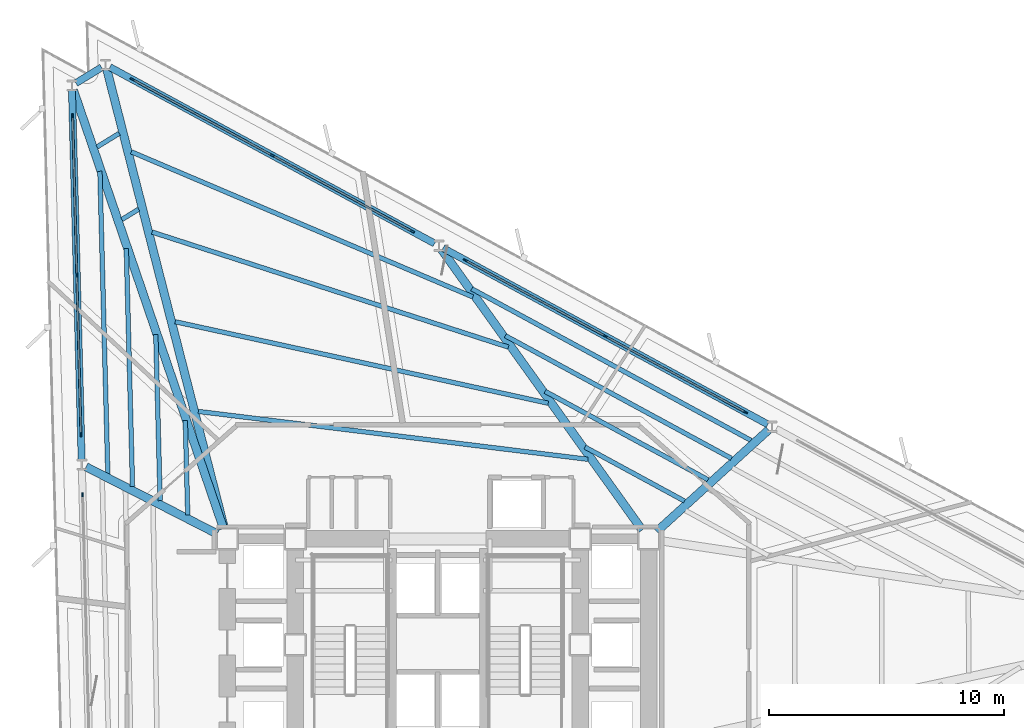
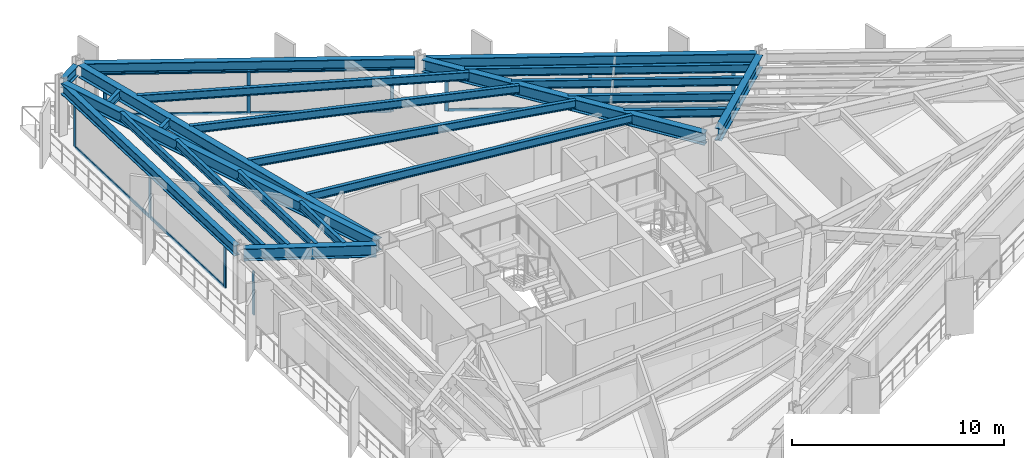
# One storey, part 5 of 14: 23 beams, 22 members, 4 elements without a shape of their own.
"""IFC4 building model written with IfcOpenShell, lengths in metres."""

from ifc_helpers import new_model, si_unit, direction, frame, origin, origin_2d, place, context, subcontext, project, spatial, rectangle, i_section, extrude, material, layer, layer_set, material_profile, profile_set, type_object, element, aggregate, save


model = new_model("IFC4")

# Units and contexts
model_context = context("Model", 3, precision=1e-05, world=origin(), true_north=direction((0.0, 1.0)))
body_context = subcontext(model_context, "Body", "Model", "MODEL_VIEW")
ifc_project = project(units=[si_unit("LENGTHUNIT", "METRE"), si_unit("AREAUNIT", "SQUARE_METRE"), si_unit("VOLUMEUNIT", "CUBIC_METRE"), si_unit("PLANEANGLEUNIT", "RADIAN"), si_unit("MASSUNIT", "GRAM", prefix="KILO")], contexts=[model_context])

# Site, building, storey
site_placement = place(None, origin())
site = spatial("IfcSite", under=ifc_project, at=site_placement, CompositionType="ELEMENT")
building_placement = place(site_placement, origin())
building = spatial("IfcBuilding", under=site, at=building_placement, Name="Rocaltana Carrier Exchange", CompositionType="ELEMENT")
storey_placement = place(building_placement, frame((0.0, 0.0, 32.320068359375)))
storey = spatial("IfcBuildingStorey", under=building, at=storey_placement, Name="L10", CompositionType="ELEMENT", Elevation=32.320068359375)

# Curtain wall, members
ifc_material_1 = material(Name="Aluminium 6063-T6", Category="aluminium")
ifc_layer = layer(ifc_material_1, 0.179931640625)
ifc_layer_set = layer_set([ifc_layer], Name="Aluminium 6063-T6")
curtain_wall_type = type_object("IfcCurtainWallType", Name="Sandstone Spandrel Unitised Curtain Wall CW-01", PredefinedType="NOTDEFINED", material=ifc_layer_set)
curtain_wall_1_placement = place(storey_placement, origin())
curtain_wall_1 = element("IfcCurtainWall", 1, at=curtain_wall_1_placement, inside=storey, type_object=curtain_wall_type, Name="L10 CW-01 Run CW-L10-F1S2", PredefinedType="NOTDEFINED")
ifc_material_2 = material(Name="Aluminium 6063-T6", Category="aluminium")
ifc_material_profile_1 = material_profile(ifc_material_2, rectangle(XDim=0.06494140625, YDim=0.179931640625, at=origin_2d()), Name="AL-65X180")
ifc_profile_set_1 = profile_set([ifc_material_profile_1], Name="Aluminium 6063-T6")
member_type_1 = type_object("IfcMemberType", Name="CW-01 Mullion AL-65X180", PredefinedType="MULLION", material=ifc_profile_set_1)
member_1_placement = place(storey_placement, frame((13.064697265625, 9.87890625, 0.0), z_axis=(0.0, 0.0, 1.0), x_axis=(-0.477164068636, -0.878814230428, 0.0)))
member_1 = element("IfcMember", 2, at=member_1_placement, type_object=member_type_1, Name="CW-01 mullion 1", PredefinedType="MULLION", context=body_context, shape_type="SweptSolid", body=[
    extrude(rectangle(XDim=0.06494140625, YDim=0.179931640625, at=origin_2d()), origin(), (0.0, 0.0, 1.0), 2.47802734375),
])
member_2_placement = place(storey_placement, frame((7.1171875, 13.108154296875, 0.0), z_axis=(0.0, 0.0, 1.0), x_axis=(-0.477164068636, -0.878814230428, 0.0)))
member_2 = element("IfcMember", 3, at=member_2_placement, type_object=member_type_1, Name="CW-01 mullion 2", PredefinedType="MULLION", context=body_context, shape_type="SweptSolid", body=[
    extrude(rectangle(XDim=0.06494140625, YDim=0.179931640625, at=origin_2d()), origin(), (0.0, 0.0, 1.0), 2.47802734375),
])
member_3_placement = place(storey_placement, frame((1.169677734375, 16.33740234375, 0.0), z_axis=(0.0, 0.0, 1.0), x_axis=(-0.477164068636, -0.878814230428, 0.0)))
member_3 = element("IfcMember", 4, at=member_3_placement, type_object=member_type_1, Name="CW-01 mullion 3", PredefinedType="MULLION", context=body_context, shape_type="SweptSolid", body=[
    extrude(rectangle(XDim=0.06494140625, YDim=0.179931640625, at=origin_2d()), origin(), (0.0, 0.0, 1.0), 2.47802734375),
])

curtain_wall_2_placement = place(storey_placement, origin())
curtain_wall_2 = element("IfcCurtainWall", 5, at=curtain_wall_2_placement, inside=storey, type_object=curtain_wall_type, Name="L10 CW-01 Run CW-L10-F1S3", PredefinedType="NOTDEFINED")
member_4_placement = place(storey_placement, frame((-1.08447265625, 17.5615234375, 0.0), z_axis=(0.0, 0.0, 1.0), x_axis=(-0.477155794406, -0.878818722982, 0.0)))
member_4 = element("IfcMember", 6, at=member_4_placement, type_object=member_type_1, Name="CW-01 mullion 1", PredefinedType="MULLION", context=body_context, shape_type="SweptSolid", body=[
    extrude(rectangle(XDim=0.06494140625, YDim=0.179931640625, at=origin_2d()), origin(), (0.0, 0.0, 1.0), 2.47802734375),
])
member_5_placement = place(storey_placement, frame((-7.03173828125, 20.79052734375, 0.0), z_axis=(0.0, 0.0, 1.0), x_axis=(-0.477155794406, -0.878818722982, 0.0)))
member_5 = element("IfcMember", 7, at=member_5_placement, type_object=member_type_1, Name="CW-01 mullion 2", PredefinedType="MULLION", context=body_context, shape_type="SweptSolid", body=[
    extrude(rectangle(XDim=0.06494140625, YDim=0.179931640625, at=origin_2d()), origin(), (0.0, 0.0, 1.0), 2.47802734375),
])
member_6_placement = place(storey_placement, frame((-12.979248046875, 24.019775390625, 0.0), z_axis=(0.0, 0.0, 1.0), x_axis=(-0.477155794406, -0.878818722982, 0.0)))
member_6 = element("IfcMember", 8, at=member_6_placement, type_object=member_type_1, Name="CW-01 mullion 3", PredefinedType="MULLION", context=body_context, shape_type="SweptSolid", body=[
    extrude(rectangle(XDim=0.06494140625, YDim=0.179931640625, at=origin_2d()), origin(), (0.0, 0.0, 1.0), 2.47802734375),
])

curtain_wall_3_placement = place(storey_placement, origin())
curtain_wall_3 = element("IfcCurtainWall", 9, at=curtain_wall_3_placement, inside=storey, type_object=curtain_wall_type, Name="L10 CW-01 Run CW-L10-F2S1", PredefinedType="NOTDEFINED")
member_7_placement = place(storey_placement, frame((-15.50927734375, 22.46923828125, 0.0), z_axis=(0.0, 0.0, 1.0), x_axis=(0.999657143044, 0.026183895077, 0.0)))
member_7 = element("IfcMember", 10, at=member_7_placement, type_object=member_type_1, Name="CW-01 mullion 1", PredefinedType="MULLION", context=body_context, shape_type="SweptSolid", body=[
    extrude(rectangle(XDim=0.06494140625, YDim=0.179931640625, at=origin_2d()), origin(), (0.0, 0.0, 1.0), 2.47802734375),
])
member_8_placement = place(storey_placement, frame((-15.33203125, 15.7041015625, 0.0), z_axis=(0.0, 0.0, 1.0), x_axis=(0.999657143044, 0.026183895077, 0.0)))
member_8 = element("IfcMember", 11, at=member_8_placement, type_object=member_type_1, Name="CW-01 mullion 2", PredefinedType="MULLION", context=body_context, shape_type="SweptSolid", body=[
    extrude(rectangle(XDim=0.06494140625, YDim=0.179931640625, at=origin_2d()), origin(), (0.0, 0.0, 1.0), 2.47802734375),
])
member_9_placement = place(storey_placement, frame((-15.155029296875, 8.93896484375, 0.0), z_axis=(0.0, 0.0, 1.0), x_axis=(0.999657143044, 0.026183895077, 0.0)))
member_9 = element("IfcMember", 12, at=member_9_placement, type_object=member_type_1, Name="CW-01 mullion 3", PredefinedType="MULLION", context=body_context, shape_type="SweptSolid", body=[
    extrude(rectangle(XDim=0.06494140625, YDim=0.179931640625, at=origin_2d()), origin(), (0.0, 0.0, 1.0), 2.47802734375),
])

# Curtain wall, member
curtain_wall_4_placement = place(storey_placement, origin())
curtain_wall_4 = element("IfcCurtainWall", 13, at=curtain_wall_4_placement, inside=storey, type_object=curtain_wall_type, Name="L10 CW-01 Run CW-L10-F2S2", PredefinedType="NOTDEFINED")
member_10_placement = place(storey_placement, frame((-15.087890625, 6.374755859375, 0.0), z_axis=(0.0, 0.0, 1.0), x_axis=(0.99965733548, 0.026176547142, 0.0)))
member_10 = element("IfcMember", 14, at=member_10_placement, type_object=member_type_1, Name="CW-01 mullion 1", PredefinedType="MULLION", context=body_context, shape_type="SweptSolid", body=[
    extrude(rectangle(XDim=0.06494140625, YDim=0.179931640625, at=origin_2d()), origin(), (0.0, 0.0, 1.0), 2.47802734375),
])
aggregate(curtain_wall_4, [member_10])

# Member
ifc_material_3 = material(Name="Aluminium 6063-T6", Category="aluminium")
ifc_material_profile_2 = material_profile(ifc_material_3, rectangle(XDim=0.06494140625, YDim=0.179931640625, at=origin_2d()), Name="AL-65X180")
ifc_profile_set_2 = profile_set([ifc_material_profile_2], Name="Aluminium 6063-T6")
member_type_2 = type_object("IfcMemberType", Name="CW-01 Transom AL-65X180", PredefinedType="USERDEFINED", material=ifc_profile_set_2)
member_11_placement = place(storey_placement, frame((13.0361328125, 9.89453125, 0.032470703125), z_axis=(-0.878815465576, 0.477161793802, 0.0), x_axis=(-0.477161793802, -0.878815465576, 0.0)))
member_11 = element("IfcMember", 15, at=member_11_placement, type_object=member_type_2, Name="CW-01 transom 1.1", ObjectType="TRANSOM", PredefinedType="USERDEFINED", context=body_context, shape_type="SweptSolid", body=[
    extrude(rectangle(XDim=0.06494140625, YDim=0.179931640625, at=origin_2d()), origin(), (0.0, 0.0, 1.0), 6.70263671875),
])

member_12_placement = place(storey_placement, frame((13.0361328125, 9.89453125, 2.4453125), z_axis=(-0.878815465576, 0.477161793802, 0.0), x_axis=(-0.477161793802, -0.878815465576, 0.0)))
member_12 = element("IfcMember", 16, at=member_12_placement, type_object=member_type_2, Name="CW-01 transom 1.2", ObjectType="TRANSOM", PredefinedType="USERDEFINED", context=body_context, shape_type="SweptSolid", body=[
    extrude(rectangle(XDim=0.06494140625, YDim=0.179931640625, at=origin_2d()), origin(), (0.0, 0.0, 1.0), 6.70263671875),
])

member_13_placement = place(storey_placement, frame((7.088623046875, 13.123779296875, 0.032470703125), z_axis=(-0.878815465576, 0.477161793802, 0.0), x_axis=(-0.477161793802, -0.878815465576, 0.0)))
member_13 = element("IfcMember", 17, at=member_13_placement, type_object=member_type_2, Name="CW-01 transom 2.1", ObjectType="TRANSOM", PredefinedType="USERDEFINED", context=body_context, shape_type="SweptSolid", body=[
    extrude(rectangle(XDim=0.06494140625, YDim=0.179931640625, at=origin_2d()), origin(), (0.0, 0.0, 1.0), 6.70263671875),
])

member_14_placement = place(storey_placement, frame((7.088623046875, 13.123779296875, 2.4453125), z_axis=(-0.878815465576, 0.477161793802, 0.0), x_axis=(-0.477161793802, -0.878815465576, 0.0)))
member_14 = element("IfcMember", 18, at=member_14_placement, type_object=member_type_2, Name="CW-01 transom 2.2", ObjectType="TRANSOM", PredefinedType="USERDEFINED", context=body_context, shape_type="SweptSolid", body=[
    extrude(rectangle(XDim=0.06494140625, YDim=0.179931640625, at=origin_2d()), origin(), (0.0, 0.0, 1.0), 6.70263671875),
])

aggregate(curtain_wall_1, [member_1, member_2, member_3, member_11, member_12, member_13, member_14])

member_15_placement = place(storey_placement, frame((-1.113037109375, 17.576904296875, 0.032470703125), z_axis=(-0.87880717191, 0.477177068392, 0.0), x_axis=(-0.477177068392, -0.87880717191, 0.0)))
member_15 = element("IfcMember", 19, at=member_15_placement, type_object=member_type_2, Name="CW-01 transom 1.1", ObjectType="TRANSOM", PredefinedType="USERDEFINED", context=body_context, shape_type="SweptSolid", body=[
    extrude(rectangle(XDim=0.06494140625, YDim=0.179931640625, at=origin_2d()), origin(), (0.0, 0.0, 1.0), 6.702392578125),
])

member_16_placement = place(storey_placement, frame((-1.113037109375, 17.576904296875, 2.4453125), z_axis=(-0.87880717191, 0.477177068392, 0.0), x_axis=(-0.477177068392, -0.87880717191, 0.0)))
member_16 = element("IfcMember", 20, at=member_16_placement, type_object=member_type_2, Name="CW-01 transom 1.2", ObjectType="TRANSOM", PredefinedType="USERDEFINED", context=body_context, shape_type="SweptSolid", body=[
    extrude(rectangle(XDim=0.06494140625, YDim=0.179931640625, at=origin_2d()), origin(), (0.0, 0.0, 1.0), 6.702392578125),
])

member_17_placement = place(storey_placement, frame((-7.060302734375, 20.80615234375, 0.032470703125), z_axis=(-0.878830739565, 0.477133661772, 0.0), x_axis=(-0.477133661772, -0.878830739565, 0.0)))
member_17 = element("IfcMember", 21, at=member_17_placement, type_object=member_type_2, Name="CW-01 transom 2.1", ObjectType="TRANSOM", PredefinedType="USERDEFINED", context=body_context, shape_type="SweptSolid", body=[
    extrude(rectangle(XDim=0.06494140625, YDim=0.179931640625, at=origin_2d()), origin(), (0.0, 0.0, 1.0), 6.70263671875),
])

member_18_placement = place(storey_placement, frame((-7.060302734375, 20.80615234375, 2.4453125), z_axis=(-0.878830739565, 0.477133661772, 0.0), x_axis=(-0.477133661772, -0.878830739565, 0.0)))
member_18 = element("IfcMember", 22, at=member_18_placement, type_object=member_type_2, Name="CW-01 transom 2.2", ObjectType="TRANSOM", PredefinedType="USERDEFINED", context=body_context, shape_type="SweptSolid", body=[
    extrude(rectangle(XDim=0.06494140625, YDim=0.179931640625, at=origin_2d()), origin(), (0.0, 0.0, 1.0), 6.70263671875),
])

aggregate(curtain_wall_2, [member_4, member_5, member_6, member_15, member_16, member_17, member_18])

member_19_placement = place(storey_placement, frame((-15.508544921875, 22.436767578125, 0.032470703125), z_axis=(0.026189818331, -0.999656987879, 0.0), x_axis=(0.999656987879, 0.026189818331, 0.0)))
member_19 = element("IfcMember", 23, at=member_19_placement, type_object=member_type_2, Name="CW-01 transom 1.1", ObjectType="TRANSOM", PredefinedType="USERDEFINED", context=body_context, shape_type="SweptSolid", body=[
    extrude(rectangle(XDim=0.06494140625, YDim=0.179931640625, at=origin_2d()), origin(), (0.0, 0.0, 1.0), 6.702392578125),
])

member_20_placement = place(storey_placement, frame((-15.508544921875, 22.436767578125, 2.4453125), z_axis=(0.026189818331, -0.999656987879, 0.0), x_axis=(0.999656987879, 0.026189818331, 0.0)))
member_20 = element("IfcMember", 24, at=member_20_placement, type_object=member_type_2, Name="CW-01 transom 1.2", ObjectType="TRANSOM", PredefinedType="USERDEFINED", context=body_context, shape_type="SweptSolid", body=[
    extrude(rectangle(XDim=0.06494140625, YDim=0.179931640625, at=origin_2d()), origin(), (0.0, 0.0, 1.0), 6.702392578125),
])

member_21_placement = place(storey_placement, frame((-15.331298828125, 15.671630859375, 0.032470703125), z_axis=(0.026189818331, -0.999656987879, 0.0), x_axis=(0.999656987879, 0.026189818331, 0.0)))
member_21 = element("IfcMember", 25, at=member_21_placement, type_object=member_type_2, Name="CW-01 transom 2.1", ObjectType="TRANSOM", PredefinedType="USERDEFINED", context=body_context, shape_type="SweptSolid", body=[
    extrude(rectangle(XDim=0.06494140625, YDim=0.179931640625, at=origin_2d()), origin(), (0.0, 0.0, 1.0), 6.702392578125),
])

member_22_placement = place(storey_placement, frame((-15.331298828125, 15.671630859375, 2.4453125), z_axis=(0.026189818331, -0.999656987879, 0.0), x_axis=(0.999656987879, 0.026189818331, 0.0)))
member_22 = element("IfcMember", 26, at=member_22_placement, type_object=member_type_2, Name="CW-01 transom 2.2", ObjectType="TRANSOM", PredefinedType="USERDEFINED", context=body_context, shape_type="SweptSolid", body=[
    extrude(rectangle(XDim=0.06494140625, YDim=0.179931640625, at=origin_2d()), origin(), (0.0, 0.0, 1.0), 6.702392578125),
])

aggregate(curtain_wall_3, [member_7, member_8, member_9, member_19, member_20, member_21, member_22])

# Beams
ifc_material_4 = material(Name="Steel S355", Category="steel")
ifc_material_profile_3 = material_profile(ifc_material_4, i_section(OverallWidth=0.193115234375, OverallDepth=0.466064453125, WebThickness=0.011474609375, FlangeThickness=0.01904296875, FilletRadius=0.013916015625, at=origin_2d()), Name="W18X65")
ifc_profile_set_3 = profile_set([ifc_material_profile_3], Name="Steel S355")
beam_type_1 = type_object("IfcBeamType", Name="Floor Joist W18X65", PredefinedType="JOIST", material=ifc_profile_set_3)
beam_1_placement = place(storey_placement, frame((10.4765625, 6.107421875, 2.864990234375), z_axis=(-0.87880781256, 0.477175888518, 0.0), x_axis=(-0.477175888518, -0.87880781256, 0.0)))
element("IfcBeam", 27, at=beam_1_placement, inside=storey, type_object=beam_type_1, Name="FJ-L10-02-1", PredefinedType="JOIST", context=body_context, shape_type="SweptSolid", body=[
    extrude(i_section(OverallWidth=0.193115234375, OverallDepth=0.466064453125, WebThickness=0.011474609375, FlangeThickness=0.01904296875, FilletRadius=0.013916015625, at=origin_2d()), origin(), (0.0, 0.0, 1.0), 4.808837890625),
])
beam_2_placement = place(storey_placement, frame((11.472412109375, 7.01318359375, 2.864990234375), z_axis=(-0.878817742056, 0.477157601059, 0.0), x_axis=(-0.477157601059, -0.878817742056, 0.0)))
element("IfcBeam", 28, at=beam_2_placement, inside=storey, type_object=beam_type_1, Name="FJ-L10-02-2", PredefinedType="JOIST", context=body_context, shape_type="SweptSolid", body=[
    extrude(i_section(OverallWidth=0.193115234375, OverallDepth=0.466064453125, WebThickness=0.011474609375, FlangeThickness=0.01904296875, FilletRadius=0.013916015625, at=origin_2d()), origin(), (0.0, 0.0, 1.0), 7.86767578125),
])
beam_3_placement = place(storey_placement, frame((12.468505859375, 7.918701171875, 2.864990234375), z_axis=(-0.878813547662, 0.477165326115, 0.0), x_axis=(-0.477165326115, -0.878813547662, 0.0)))
element("IfcBeam", 29, at=beam_3_placement, inside=storey, type_object=beam_type_1, Name="FJ-L10-02-3", PredefinedType="JOIST", context=body_context, shape_type="SweptSolid", body=[
    extrude(i_section(OverallWidth=0.193115234375, OverallDepth=0.466064453125, WebThickness=0.011474609375, FlangeThickness=0.01904296875, FilletRadius=0.013916015625, at=origin_2d()), origin(), (0.0, 0.0, 1.0), 10.92724609375),
])
beam_4_placement = place(storey_placement, frame((13.30712890625, 8.681396484375, 2.864990234375), z_axis=(-0.878808808583, 0.477174054152, 0.0), x_axis=(-0.477174054152, -0.878808808583, 0.0)))
element("IfcBeam", 30, at=beam_4_placement, inside=storey, type_object=beam_type_1, Name="FJ-L10-02-4", PredefinedType="JOIST", context=body_context, shape_type="SweptSolid", body=[
    extrude(i_section(OverallWidth=0.193115234375, OverallDepth=0.466064453125, WebThickness=0.011474609375, FlangeThickness=0.01904296875, FilletRadius=0.013916015625, at=origin_2d()), origin(), (0.0, 0.0, 1.0), 13.503173828125),
])
beam_5_placement = place(storey_placement, frame((6.374755859375, 7.882080078125, 2.864990234375), z_axis=(-0.992538792143, 0.121929266752, 0.0), x_axis=(-0.121929266752, -0.992538792143, 0.0)))
element("IfcBeam", 31, at=beam_5_placement, inside=storey, type_object=beam_type_1, Name="FJ-L10-03-1", PredefinedType="JOIST", context=body_context, shape_type="SweptSolid", body=[
    extrude(i_section(OverallWidth=0.193115234375, OverallDepth=0.466064453125, WebThickness=0.011474609375, FlangeThickness=0.01904296875, FilletRadius=0.013916015625, at=origin_2d()), origin(), (0.0, 0.0, 1.0), 16.671142578125),
])
beam_6_placement = place(storey_placement, frame((4.68505859375, 10.26318359375, 2.864990234375), z_axis=(-0.976950483749, 0.213466044848, 0.0), x_axis=(-0.213466044848, -0.976950483749, 0.0)))
element("IfcBeam", 32, at=beam_6_placement, inside=storey, type_object=beam_type_1, Name="FJ-L10-03-2", PredefinedType="JOIST", context=body_context, shape_type="SweptSolid", body=[
    extrude(i_section(OverallWidth=0.193115234375, OverallDepth=0.466064453125, WebThickness=0.011474609375, FlangeThickness=0.01904296875, FilletRadius=0.013916015625, at=origin_2d()), origin(), (0.0, 0.0, 1.0), 16.213134765625),
])
beam_7_placement = place(storey_placement, frame((2.9970703125, 12.644775390625, 2.864990234375), z_axis=(-0.951601211607, 0.307335539872, 0.0), x_axis=(-0.307335539872, -0.951601211607, 0.0)))
element("IfcBeam", 33, at=beam_7_placement, inside=storey, type_object=beam_type_1, Name="FJ-L10-03-3", PredefinedType="JOIST", context=body_context, shape_type="SweptSolid", body=[
    extrude(i_section(OverallWidth=0.193115234375, OverallDepth=0.466064453125, WebThickness=0.011474609375, FlangeThickness=0.01904296875, FilletRadius=0.013916015625, at=origin_2d()), origin(), (0.0, 0.0, 1.0), 15.905029296875),
])
beam_8_placement = place(storey_placement, frame((1.48828125, 14.775634765625, 2.864990234375), z_axis=(-0.920350290518, 0.391095055891, 0.0), x_axis=(-0.391095055891, -0.920350290518, 0.0)))
element("IfcBeam", 34, at=beam_8_placement, inside=storey, type_object=beam_type_1, Name="FJ-L10-03-4", PredefinedType="JOIST", context=body_context, shape_type="SweptSolid", body=[
    extrude(i_section(OverallWidth=0.193115234375, OverallDepth=0.466064453125, WebThickness=0.011474609375, FlangeThickness=0.01904296875, FilletRadius=0.013916015625, at=origin_2d()), origin(), (0.0, 0.0, 1.0), 15.76416015625),
])
beam_9_placement = place(storey_placement, frame((-12.70556640625, 18.502685546875, 2.864990234375), z_axis=(-0.852508958132, -0.522712613493, 0.0), x_axis=(0.522712613493, -0.852508958132, 0.0)))
element("IfcBeam", 35, at=beam_9_placement, inside=storey, type_object=beam_type_1, Name="FJ-L10-04-3", PredefinedType="JOIST", context=body_context, shape_type="SweptSolid", body=[
    extrude(i_section(OverallWidth=0.193115234375, OverallDepth=0.466064453125, WebThickness=0.011474609375, FlangeThickness=0.01904296875, FilletRadius=0.013916015625, at=origin_2d()), origin(), (0.0, 0.0, 1.0), 0.83642578125),
])
beam_10_placement = place(storey_placement, frame((-13.530517578125, 21.7236328125, 2.864990234375), z_axis=(-0.852664692341, -0.52245853657, 0.0), x_axis=(0.52245853657, -0.852664692341, 0.0)))
element("IfcBeam", 36, at=beam_10_placement, inside=storey, type_object=beam_type_1, Name="FJ-L10-04-4", PredefinedType="JOIST", context=body_context, shape_type="SweptSolid", body=[
    extrude(i_section(OverallWidth=0.193115234375, OverallDepth=0.466064453125, WebThickness=0.011474609375, FlangeThickness=0.01904296875, FilletRadius=0.013916015625, at=origin_2d()), origin(), (0.0, 0.0, 1.0), 1.106201171875),
])
beam_11_placement = place(storey_placement, frame((-10.7255859375, 9.5263671875, 2.864990234375), z_axis=(0.02615756085, -0.999657832466, 0.0), x_axis=(0.999657832466, 0.02615756085, 0.0)))
element("IfcBeam", 37, at=beam_11_placement, inside=storey, type_object=beam_type_1, Name="FJ-L10-05-1", PredefinedType="JOIST", context=body_context, shape_type="SweptSolid", body=[
    extrude(i_section(OverallWidth=0.193115234375, OverallDepth=0.466064453125, WebThickness=0.011474609375, FlangeThickness=0.01904296875, FilletRadius=0.013916015625, at=origin_2d()), origin(), (0.0, 0.0, 1.0), 4.004150390625),
])
beam_12_placement = place(storey_placement, frame((-11.978271484375, 13.18408203125, 2.864990234375), z_axis=(0.026201236861, -0.999656688662, 0.0), x_axis=(0.999656688662, 0.026201236861, 0.0)))
element("IfcBeam", 38, at=beam_12_placement, inside=storey, type_object=beam_type_1, Name="FJ-L10-05-2", PredefinedType="JOIST", context=body_context, shape_type="SweptSolid", body=[
    extrude(i_section(OverallWidth=0.193115234375, OverallDepth=0.466064453125, WebThickness=0.011474609375, FlangeThickness=0.01904296875, FilletRadius=0.013916015625, at=origin_2d()), origin(), (0.0, 0.0, 1.0), 7.06298828125),
])
beam_13_placement = place(storey_placement, frame((-13.23095703125, 16.841796875, 2.864990234375), z_axis=(0.026194410862, -0.99965686755, 0.0), x_axis=(0.99965686755, 0.026194410862, 0.0)))
element("IfcBeam", 39, at=beam_13_placement, inside=storey, type_object=beam_type_1, Name="FJ-L10-05-3", PredefinedType="JOIST", context=body_context, shape_type="SweptSolid", body=[
    extrude(i_section(OverallWidth=0.193115234375, OverallDepth=0.466064453125, WebThickness=0.011474609375, FlangeThickness=0.01904296875, FilletRadius=0.013916015625, at=origin_2d()), origin(), (0.0, 0.0, 1.0), 10.121826171875),
])
beam_14_placement = place(storey_placement, frame((-14.351806640625, 20.114501953125, 2.864990234375), z_axis=(0.026200832731, -0.999656699254, 0.0), x_axis=(0.999656699254, 0.026200832731, 0.0)))
element("IfcBeam", 40, at=beam_14_placement, inside=storey, type_object=beam_type_1, Name="FJ-L10-05-4", PredefinedType="JOIST", context=body_context, shape_type="SweptSolid", body=[
    extrude(i_section(OverallWidth=0.193115234375, OverallDepth=0.466064453125, WebThickness=0.011474609375, FlangeThickness=0.01904296875, FilletRadius=0.013916015625, at=origin_2d()), origin(), (0.0, 0.0, 1.0), 12.85888671875),
])
ifc_material_5 = material(Name="Steel S355", Category="steel")
ifc_material_profile_4 = material_profile(ifc_material_5, i_section(OverallWidth=0.35498046875, OverallDepth=0.695068359375, WebThickness=0.015380859375, FlangeThickness=0.02490234375, FilletRadius=0.01806640625, at=origin_2d()), Name="W27X146")
ifc_profile_set_4 = profile_set([ifc_material_profile_4], Name="Steel S355")
beam_type_2 = type_object("IfcBeamType", Name="Radial Girder W27X146", PredefinedType="BEAM", material=ifc_profile_set_4)
beam_15_placement = place(storey_placement, frame((9.29541015625, 4.814208984375, 2.75048828125), z_axis=(0.739807445463, 0.672818655834, 0.0), x_axis=(-0.672818655834, 0.739807445463, 0.0)))
element("IfcBeam", 41, at=beam_15_placement, inside=storey, type_object=beam_type_2, Name="RG-L10-02", PredefinedType="BEAM", context=body_context, shape_type="SweptSolid", body=[
    extrude(i_section(OverallWidth=0.35498046875, OverallDepth=0.695068359375, WebThickness=0.015380859375, FlangeThickness=0.02490234375, FilletRadius=0.01806640625, at=origin_2d()), origin(), (0.0, 0.0, 1.0), 6.414306640625),
])
beam_16_placement = place(storey_placement, frame((8.67822265625, 4.8798828125, 2.75048828125), z_axis=(-0.581884927031, 0.813271130493, 0.0), x_axis=(-0.813271130493, -0.581884927031, 0.0)))
element("IfcBeam", 42, at=beam_16_placement, inside=storey, type_object=beam_type_2, Name="RG-L10-03", PredefinedType="BEAM", context=body_context, shape_type="SweptSolid", body=[
    extrude(i_section(OverallWidth=0.35498046875, OverallDepth=0.695068359375, WebThickness=0.015380859375, FlangeThickness=0.02490234375, FilletRadius=0.01806640625, at=origin_2d()), origin(), (0.0, 0.0, 1.0), 14.63671875),
])
beam_17_placement = place(storey_placement, frame((-9.06591796875, 4.952392578125, 2.75048828125), z_axis=(-0.248115976649, 0.968730335094, 0.0), x_axis=(-0.968730335094, -0.248115976649, 0.0)))
element("IfcBeam", 43, at=beam_17_placement, inside=storey, type_object=beam_type_2, Name="RG-L10-04", PredefinedType="BEAM", context=body_context, shape_type="SweptSolid", body=[
    extrude(i_section(OverallWidth=0.35498046875, OverallDepth=0.695068359375, WebThickness=0.015380859375, FlangeThickness=0.02490234375, FilletRadius=0.01806640625, at=origin_2d()), origin(), (0.0, 0.0, 1.0), 20.110595703125),
])
beam_18_placement = place(storey_placement, frame((-9.101318359375, 4.94189453125, 2.75048828125), z_axis=(-0.323992518523, 0.946059642909, 0.0), x_axis=(-0.946059642909, -0.323992518523, 0.0)))
element("IfcBeam", 44, at=beam_18_placement, inside=storey, type_object=beam_type_2, Name="RG-L10-05", PredefinedType="BEAM", context=body_context, shape_type="SweptSolid", body=[
    extrude(i_section(OverallWidth=0.35498046875, OverallDepth=0.695068359375, WebThickness=0.015380859375, FlangeThickness=0.02490234375, FilletRadius=0.01806640625, at=origin_2d()), origin(), (0.0, 0.0, 1.0), 19.677978515625),
])
beam_19_placement = place(storey_placement, frame((-9.36572265625, 4.712646484375, 2.75048828125), z_axis=(-0.890279416512, 0.455414712691, 0.0), x_axis=(-0.455414712691, -0.890279416512, 0.0)))
element("IfcBeam", 45, at=beam_19_placement, inside=storey, type_object=beam_type_2, Name="RG-L10-06", PredefinedType="BEAM", context=body_context, shape_type="SweptSolid", body=[
    extrude(i_section(OverallWidth=0.35498046875, OverallDepth=0.695068359375, WebThickness=0.015380859375, FlangeThickness=0.02490234375, FilletRadius=0.01806640625, at=origin_2d()), origin(), (0.0, 0.0, 1.0), 6.260986328125),
])
ifc_material_6 = material(Name="Steel S355", Category="steel")
ifc_material_profile_5 = material_profile(ifc_material_6, i_section(OverallWidth=0.300048828125, OverallDepth=0.60009765625, WebThickness=0.015380859375, FlangeThickness=0.030029296875, FilletRadius=0.027099609375, at=origin_2d()), Name="HEB600")
ifc_profile_set_5 = profile_set([ifc_material_profile_5], Name="Steel S355")
beam_type_3 = type_object("IfcBeamType", Name="Spandrel Edge Beam HEB600", PredefinedType="SPANDREL", material=ifc_profile_set_5)
beam_20_placement = place(storey_placement, frame((14.012451171875, 9.364501953125, 2.7978515625), z_axis=(-0.878819693906, 0.477154006168, 0.0), x_axis=(-0.477154006168, -0.878819693906, 0.0)))
element("IfcBeam", 46, at=beam_20_placement, inside=storey, type_object=beam_type_3, Name="SP-L10-02", PredefinedType="SPANDREL", context=body_context, shape_type="SweptSolid", body=[
    extrude(i_section(OverallWidth=0.300048828125, OverallDepth=0.60009765625, WebThickness=0.015380859375, FlangeThickness=0.030029296875, FilletRadius=0.027099609375, at=origin_2d()), origin(), (0.0, 0.0, 1.0), 15.692138671875),
])
beam_21_placement = place(storey_placement, frame((-0.13671875, 17.046630859375, 2.7978515625), z_axis=(-0.878809627373, 0.47717254619, 0.0), x_axis=(-0.47717254619, -0.878809627373, 0.0)))
element("IfcBeam", 47, at=beam_21_placement, inside=storey, type_object=beam_type_3, Name="SP-L10-03", PredefinedType="SPANDREL", context=body_context, shape_type="SweptSolid", body=[
    extrude(i_section(OverallWidth=0.300048828125, OverallDepth=0.60009765625, WebThickness=0.015380859375, FlangeThickness=0.030029296875, FilletRadius=0.027099609375, at=origin_2d()), origin(), (0.0, 0.0, 1.0), 15.69189453125),
])
beam_22_placement = place(storey_placement, frame((-14.280029296875, 24.525146484375, 2.7978515625), z_axis=(-0.852647958585, -0.522485845474, 0.0), x_axis=(0.522485845474, -0.852647958585, 0.0)))
element("IfcBeam", 48, at=beam_22_placement, inside=storey, type_object=beam_type_3, Name="SP-L10-04", PredefinedType="SPANDREL", context=body_context, shape_type="SweptSolid", body=[
    extrude(i_section(OverallWidth=0.300048828125, OverallDepth=0.60009765625, WebThickness=0.015380859375, FlangeThickness=0.030029296875, FilletRadius=0.027099609375, at=origin_2d()), origin(), (0.0, 0.0, 1.0), 1.277099609375),
])
beam_23_placement = place(storey_placement, frame((-15.53759765625, 23.54736328125, 2.7978515625), z_axis=(0.026184348618, -0.999657131164, 0.0), x_axis=(0.999657131164, 0.026184348618, 0.0)))
element("IfcBeam", 49, at=beam_23_placement, inside=storey, type_object=beam_type_3, Name="SP-L10-05", PredefinedType="SPANDREL", context=body_context, shape_type="SweptSolid", body=[
    extrude(i_section(OverallWidth=0.300048828125, OverallDepth=0.60009765625, WebThickness=0.015380859375, FlangeThickness=0.030029296875, FilletRadius=0.027099609375, at=origin_2d()), origin(), (0.0, 0.0, 1.0), 15.692138671875),
])

save(model, "model.ifc")
